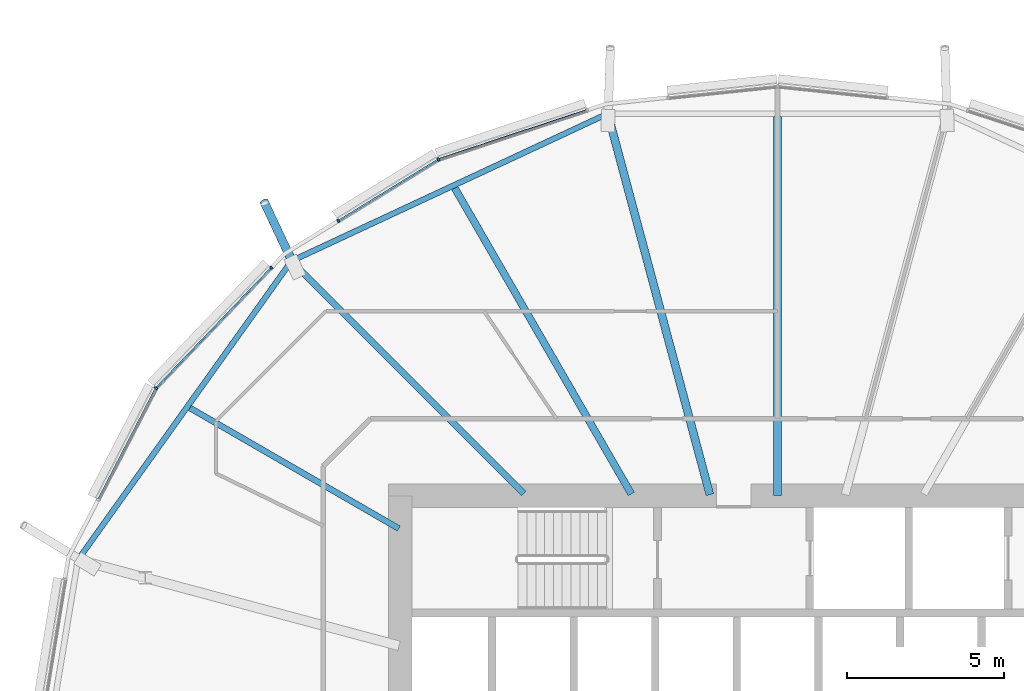
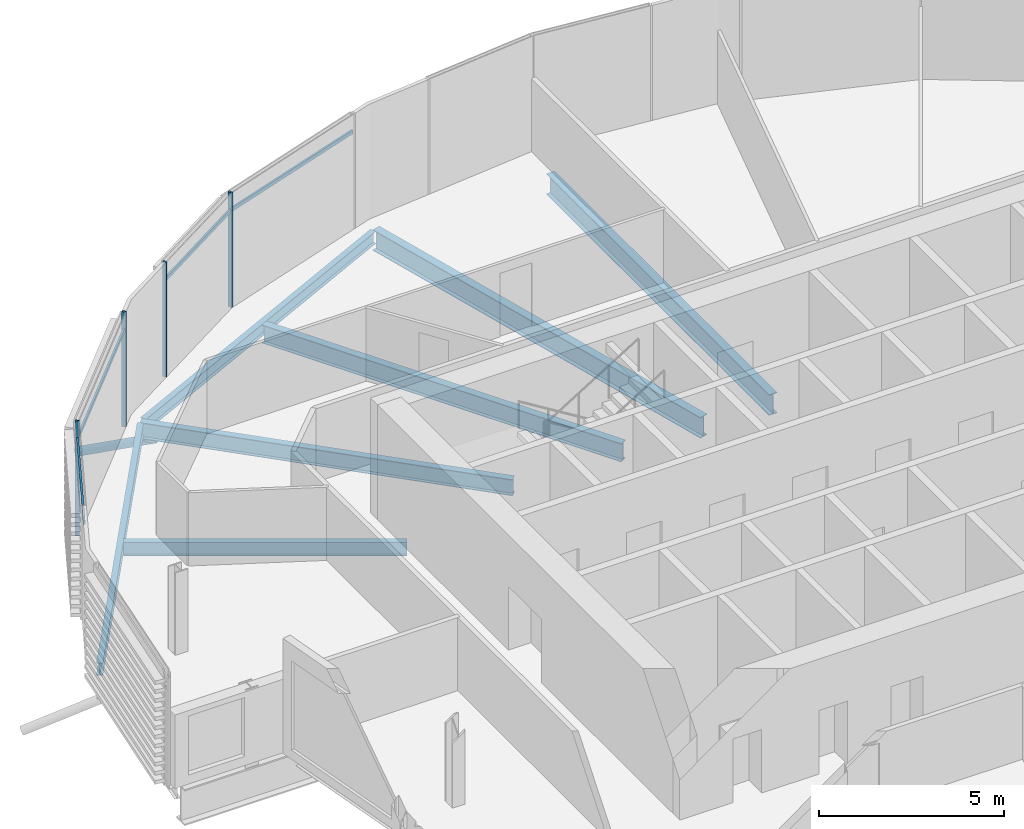
# One storey, part 8 of 39: 9 members, 7 beams, 1 element without a shape of its own.
"""IFC4 building model written with IfcOpenShell, lengths in metres."""

from ifc_helpers import new_model, si_unit, direction, frame, origin, origin_2d, place, context, subcontext, project, spatial, rectangle, hollow_circle, i_section, extrude, clip, halfspace, material, material_profile, profile_set, type_object, element, aggregate, save


model = new_model("IFC4")

# Units and contexts
model_context = context("Model", 3, precision=1e-05, world=origin(), true_north=direction((0.0, 1.0)))
body_context = subcontext(model_context, "Body", "Model", "MODEL_VIEW")
ifc_project = project(units=[si_unit("LENGTHUNIT", "METRE"), si_unit("AREAUNIT", "SQUARE_METRE"), si_unit("VOLUMEUNIT", "CUBIC_METRE"), si_unit("PLANEANGLEUNIT", "RADIAN"), si_unit("MASSUNIT", "GRAM", prefix="KILO")], contexts=[model_context])

# Site, building, storey
site_placement = place(None, origin())
site = spatial("IfcSite", under=ifc_project, at=site_placement, CompositionType="ELEMENT")
building_placement = place(site_placement, origin())
building = spatial("IfcBuilding", under=site, at=building_placement, Name="Rimbun Link Towers", CompositionType="ELEMENT")
storey_placement = place(building_placement, frame((0.0, 0.0, 96.800048828125)))
storey = spatial("IfcBuildingStorey", under=building, at=storey_placement, Name="L23", CompositionType="ELEMENT", Elevation=96.800048828125)

# Curtain wall, members
ifc_material_1 = material(Name="Aluminium 6063-T6 and low-iron glass", Category="aluminium")
curtain_wall_type = type_object("IfcCurtainWallType", Name="CW1-Z2 unitised vision wall (zone 2)", PredefinedType="NOTDEFINED", material=ifc_material_1)
curtain_wall_placement = place(storey_placement, origin())
curtain_wall = element("IfcCurtainWall", 1, at=curtain_wall_placement, inside=storey, type_object=curtain_wall_type, Name="CW1 L23 T1", PredefinedType="NOTDEFINED")
ifc_material_2 = material(Name="Aluminium 6063-T6", Category="aluminium")
ifc_material_profile_1 = material_profile(ifc_material_2, rectangle(XDim=0.1201171875, YDim=0.06005859375, at=origin_2d()), Name="MULLION 60X120")
ifc_profile_set_1 = profile_set([ifc_material_profile_1], Name="Aluminium 6063-T6")
member_type_1 = type_object("IfcMemberType", Name="CW1 mullion 60X120", PredefinedType="MULLION", material=ifc_profile_set_1)
member_1_placement = place(storey_placement, frame((-42.540283203125, 18.699951171875, 0.0), z_axis=(0.0, 0.0, 1.0), x_axis=(-0.421698890318, 0.906735929532, 0.0)))
member_1 = element("IfcMember", 2, at=member_1_placement, type_object=member_type_1, Name="CW1 mullion", PredefinedType="MULLION", context=body_context, shape_type="SweptSolid", body=[
    extrude(rectangle(XDim=0.1201171875, YDim=0.06005859375, at=origin_2d()), origin(), (0.0, 0.0, 1.0), 3.800048828125),
])
member_2_placement = place(storey_placement, frame((-45.724609375, 16.7451171875, 0.0), z_axis=(0.0, 0.0, 1.0), x_axis=(-0.523239240316, 0.852185835011, 0.0)))
member_2 = element("IfcMember", 3, at=member_2_placement, type_object=member_type_1, Name="CW1 mullion", PredefinedType="MULLION", context=body_context, shape_type="SweptSolid", body=[
    extrude(rectangle(XDim=0.1201171875, YDim=0.06005859375, at=origin_2d()), origin(), (0.0, 0.0, 1.0), 3.800048828125),
])
member_3_placement = place(storey_placement, frame((-51.527587890625, 11.42529296875, 0.0), z_axis=(0.0, 0.0, 1.0), x_axis=(-0.813351214919, 0.581772980801, 0.0)))
member_3 = element("IfcMember", 4, at=member_3_placement, type_object=member_type_1, Name="CW1 mullion", PredefinedType="MULLION", context=body_context, shape_type="SweptSolid", body=[
    extrude(rectangle(XDim=0.1201171875, YDim=0.06005859375, at=origin_2d()), origin(), (0.0, 0.0, 1.0), 3.800048828125),
])
member_4_placement = place(storey_placement, frame((-47.856201171875, 15.256103515625, 0.0), z_axis=(0.0, 0.0, 1.0), x_axis=(-0.721854427226, 0.692044930546, 0.0)))
member_4 = element("IfcMember", 5, at=member_4_placement, type_object=member_type_1, Name="CW1 mullion", PredefinedType="MULLION", context=body_context, shape_type="SweptSolid", body=[
    extrude(rectangle(XDim=0.1201171875, YDim=0.06005859375, at=origin_2d()), origin(), (0.0, 0.0, 1.0), 3.800048828125),
])
ifc_material_3 = material(Name="Aluminium 6063-T6", Category="aluminium")
ifc_material_profile_2 = material_profile(ifc_material_3, rectangle(XDim=0.06005859375, YDim=0.1201171875, at=origin_2d()), Name="TRANSOM 60X120")
ifc_profile_set_2 = profile_set([ifc_material_profile_2], Name="Aluminium 6063-T6")
member_type_2 = type_object("IfcMemberType", Name="CW1 transom 60X120", PredefinedType="USERDEFINED", material=ifc_profile_set_2)
member_5_placement = place(storey_placement, frame((-42.5048828125, 18.7099609375, 3.199951171875), z_axis=(0.949232441731, 0.314575541906, 0.0), x_axis=(-0.314575541906, 0.949232441731, 0.0)))
member_5 = element("IfcMember", 6, at=member_5_placement, type_object=member_type_2, Name="CW1 transom", ObjectType="TRANSOM", PredefinedType="USERDEFINED", context=body_context, shape_type="SweptSolid", body=[
    extrude(rectangle(XDim=0.06005859375, YDim=0.1201171875, at=origin_2d()), origin(), (0.0, 0.0, 1.0), 4.921875),
])
member_6_placement = place(storey_placement, frame((-45.697998046875, 16.75927734375, 3.199951171875), z_axis=(0.85220609578, 0.523206240707, 0.0), x_axis=(-0.523206240707, 0.85220609578, 0.0)))
member_6 = element("IfcMember", 7, at=member_6_placement, type_object=member_type_2, Name="CW1 transom", ObjectType="TRANSOM", PredefinedType="USERDEFINED", context=body_context, shape_type="SweptSolid", body=[
    extrude(rectangle(XDim=0.06005859375, YDim=0.1201171875, at=origin_2d()), origin(), (0.0, 0.0, 1.0), 3.66943359375),
])
member_7_placement = place(storey_placement, frame((-51.5, 11.452392578125, 3.199951171875), z_axis=(0.692056205714, 0.721843617505, 0.0), x_axis=(-0.721843617505, 0.692056205714, 0.0)))
member_7 = element("IfcMember", 8, at=member_7_placement, type_object=member_type_2, Name="CW1 transom", ObjectType="TRANSOM", PredefinedType="USERDEFINED", context=body_context, shape_type="SweptSolid", body=[
    extrude(rectangle(XDim=0.06005859375, YDim=0.1201171875, at=origin_2d()), origin(), (0.0, 0.0, 1.0), 5.2373046875),
])
member_8_placement = place(storey_placement, frame((-53.348388671875, 7.903564453125, 3.199951171875), z_axis=(0.459532873218, 0.888160761592, 0.0), x_axis=(-0.888160761592, 0.459532873218, 0.0)))
member_8 = element("IfcMember", 9, at=member_8_placement, type_object=member_type_2, Name="CW1 transom", ObjectType="TRANSOM", PredefinedType="USERDEFINED", context=body_context, shape_type="SweptSolid", body=[
    extrude(rectangle(XDim=0.06005859375, YDim=0.1201171875, at=origin_2d()), origin(), (0.0, 0.0, 1.0), 3.92626953125),
])
aggregate(curtain_wall, [member_1, member_2, member_3, member_4, member_5, member_6, member_7, member_8])

# Member
ifc_material_4 = material(Name="Steel S355J2H", Category="steel")
ifc_material_profile_3 = material_profile(ifc_material_4, hollow_circle(Radius=0.136474609375, WallThickness=0.012451171875, at=origin_2d()), Name="CHS 273x12.5")
ifc_profile_set_3 = profile_set([ifc_material_profile_3], Name="Steel S355J2H")
member_type_3 = type_object("IfcMemberType", Name="Floor edge link CHS 273x12.5", PredefinedType="BRACE", material=ifc_profile_set_3)
member_9_placement = place(storey_placement, frame((-47.180419921875, 15.430419921875, -0.811279296875), z_axis=(-0.369506350834, 0.786370004575, -0.495062897617), x_axis=(-0.905062489084, -0.425278603803, 0.0)))
element("IfcMember", 10, at=member_9_placement, inside=storey, type_object=member_type_3, Name="Floor edge link T1 L23 09", PredefinedType="BRACE", context=body_context, shape_type="Clipping", body=[
    clip(extrude(hollow_circle(Radius=0.136474609375, WallThickness=0.012451171875, at=origin_2d()), frame((0.0, 0.0, -0.499267578125)), (0.0, 0.0, 1.0), 2.953125), halfspace(frame((0.0, 0.0, -0.234619140625), z_axis=(0.0, 0.868857138661, -0.495062897617)), False)),
])

# Beams
ifc_material_5 = material(Name="Steel S355J2", Category="steel")
ifc_material_profile_4 = material_profile(ifc_material_5, i_section(OverallWidth=0.177978515625, OverallDepth=0.406494140625, WebThickness=0.0078125, FlangeThickness=0.0126953125, at=origin_2d()), Name="UB 406x178x60")
ifc_profile_set_4 = profile_set([ifc_material_profile_4], Name="Steel S355J2")
beam_type_1 = type_object("IfcBeamType", Name="UB 406x178x60", PredefinedType="BEAM", material=ifc_profile_set_4)
beam_1_placement = place(storey_placement, frame((-37.268798828125, 20.10205078125, -0.36328125), z_axis=(-0.906379422837, -0.422464604266, 0.0), x_axis=(0.422464604266, -0.906379422837, 0.0)))
element("IfcBeam", 11, at=beam_1_placement, inside=storey, type_object=beam_type_1, Name="Edge beam T1 L23 07-09", PredefinedType="BEAM", context=body_context, shape_type="SweptSolid", body=[
    extrude(i_section(OverallWidth=0.177978515625, OverallDepth=0.406494140625, WebThickness=0.0078125, FlangeThickness=0.0126953125, at=origin_2d()), origin(), (0.0, 0.0, 1.0), 10.862060546875),
])
beam_2_placement = place(storey_placement, frame((-47.278076171875, 15.378662109375, -0.36328125), z_axis=(-0.581369775977, -0.813639467811, 0.0), x_axis=(0.813639467811, -0.581369775977, 0.0)))
element("IfcBeam", 12, at=beam_2_placement, inside=storey, type_object=beam_type_1, Name="Edge beam T1 L23 09-11", PredefinedType="BEAM", context=body_context, shape_type="SweptSolid", body=[
    extrude(i_section(OverallWidth=0.177978515625, OverallDepth=0.406494140625, WebThickness=0.0078125, FlangeThickness=0.0126953125, at=origin_2d()), origin(), (0.0, 0.0, 1.0), 11.40771484375),
])
ifc_material_6 = material(Name="Steel S355J2", Category="steel")
ifc_material_profile_5 = material_profile(ifc_material_6, i_section(OverallWidth=0.18994140625, OverallDepth=0.453369140625, WebThickness=0.008544921875, FlangeThickness=0.0126953125, at=origin_2d()), Name="UB 457x191x67")
ifc_profile_set_5 = profile_set([ifc_material_profile_5], Name="Steel S355J2")
beam_type_2 = type_object("IfcBeamType", Name="UB 457x191x67", PredefinedType="BEAM", material=ifc_profile_set_5)
beam_3_placement = place(storey_placement, frame((-43.79833984375, 6.9560546875, -0.38671875), z_axis=(-0.866012339475, 0.500022627366, 0.0), x_axis=(-0.500022627366, -0.866012339475, 0.0)))
element("IfcBeam", 13, at=beam_3_placement, inside=storey, type_object=beam_type_2, Name="Radial beam T1 L23 10", PredefinedType="BEAM", context=body_context, shape_type="SweptSolid", body=[
    extrude(i_section(OverallWidth=0.18994140625, OverallDepth=0.453369140625, WebThickness=0.008544921875, FlangeThickness=0.0126953125, at=origin_2d()), origin(), (0.0, 0.0, 1.0), 7.674072265625),
])
ifc_material_7 = material(Name="Steel S355J2", Category="steel")
ifc_material_profile_6 = material_profile(ifc_material_7, i_section(OverallWidth=0.209228515625, OverallDepth=0.533203125, WebThickness=0.010009765625, FlangeThickness=0.015625, at=origin_2d()), Name="UB 533x210x92")
ifc_profile_set_6 = profile_set([ifc_material_profile_6], Name="Steel S355J2")
beam_type_3 = type_object("IfcBeamType", Name="UB 533x210x92", PredefinedType="BEAM", material=ifc_profile_set_6)
beam_4_placement = place(storey_placement, frame((-39.82470703125, 8.07470703125, -0.426513671875), z_axis=(-0.707106781187, 0.707106781187, 0.0), x_axis=(-0.707106781187, -0.707106781187, 0.0)))
element("IfcBeam", 14, at=beam_4_placement, inside=storey, type_object=beam_type_3, Name="Radial beam T1 L23 09", PredefinedType="BEAM", context=body_context, shape_type="SweptSolid", body=[
    extrude(i_section(OverallWidth=0.209228515625, OverallDepth=0.533203125, WebThickness=0.010009765625, FlangeThickness=0.015625, at=origin_2d()), origin(), (0.0, 0.0, 1.0), 10.45263671875),
])
ifc_material_8 = material(Name="Steel S355J2", Category="steel")
ifc_material_profile_7 = material_profile(ifc_material_8, i_section(OverallWidth=0.2275390625, OverallDepth=0.6025390625, WebThickness=0.010498046875, FlangeThickness=0.014892578125, at=origin_2d()), Name="UB 610x229x101")
ifc_profile_set_7 = profile_set([ifc_material_profile_7], Name="Steel S355J2")
beam_type_4 = type_object("IfcBeamType", Name="UB 610x229x101", PredefinedType="BEAM", material=ifc_profile_set_7)
beam_5_placement = place(storey_placement, frame((-36.402099609375, 8.057861328125, -0.46142578125), z_axis=(-0.50001148964, 0.866018770136, 0.0), x_axis=(-0.866018770136, -0.50001148964, 0.0)))
element("IfcBeam", 15, at=beam_5_placement, inside=storey, type_object=beam_type_4, Name="Radial beam T1 L23 08", PredefinedType="BEAM", context=body_context, shape_type="SweptSolid", body=[
    extrude(i_section(OverallWidth=0.2275390625, OverallDepth=0.6025390625, WebThickness=0.010498046875, FlangeThickness=0.014892578125, at=origin_2d()), origin(), (0.0, 0.0, 1.0), 11.235595703125),
])
ifc_material_9 = material(Name="Steel S355J2", Category="steel")
ifc_material_profile_8 = material_profile(ifc_material_9, i_section(OverallWidth=0.253662109375, OverallDepth=0.68359375, WebThickness=0.012451171875, FlangeThickness=0.01904296875, at=origin_2d()), Name="UB 686x254x140")
ifc_profile_set_8 = profile_set([ifc_material_profile_8], Name="Steel S355J2")
beam_type_5 = type_object("IfcBeamType", Name="UB 686x254x140", PredefinedType="BEAM", material=ifc_profile_set_8)
beam_6_placement = place(storey_placement, frame((-31.75, 8.0009765625, -0.501953125), z_axis=(0.0, 1.0, 0.0), x_axis=(-1.0, 0.0, 0.0)))
element("IfcBeam", 16, at=beam_6_placement, inside=storey, type_object=beam_type_5, Name="Radial beam T1 L23 06", PredefinedType="BEAM", context=body_context, shape_type="SweptSolid", body=[
    extrude(i_section(OverallWidth=0.253662109375, OverallDepth=0.68359375, WebThickness=0.012451171875, FlangeThickness=0.01904296875, at=origin_2d()), origin(), (0.0, 0.0, 1.0), 12.06591796875),
])
beam_7_placement = place(storey_placement, frame((-33.902587890625, 8.03369140625, -0.501953125), z_axis=(-0.258813870741, 0.96592721274, 0.0), x_axis=(-0.96592721274, -0.258813870741, 0.0)))
element("IfcBeam", 17, at=beam_7_placement, inside=storey, type_object=beam_type_5, Name="Radial beam T1 L23 07", PredefinedType="BEAM", context=body_context, shape_type="SweptSolid", body=[
    extrude(i_section(OverallWidth=0.253662109375, OverallDepth=0.68359375, WebThickness=0.012451171875, FlangeThickness=0.01904296875, at=origin_2d()), origin(), (0.0, 0.0, 1.0), 12.55078125),
])

save(model, "model.ifc")
